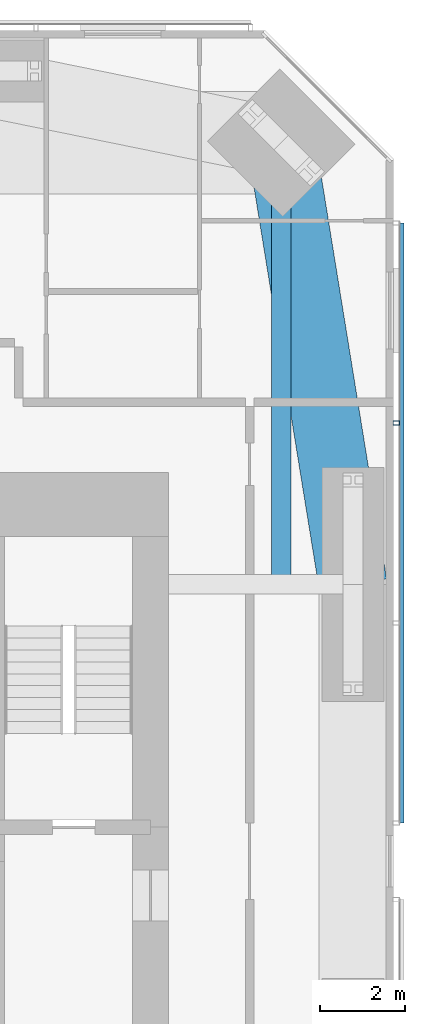
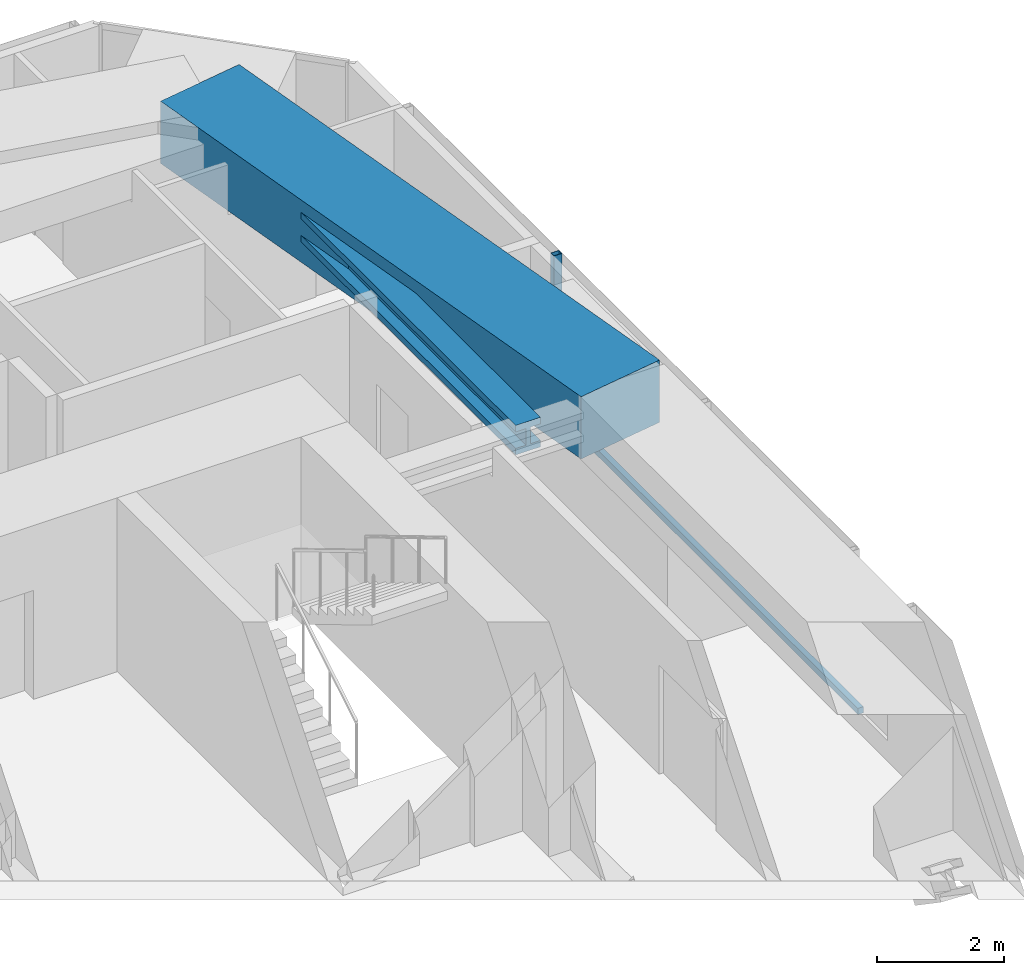
# One storey, part 11 of 24: 2 beams, 2 members, 1 element without a shape of its own.
"""IFC4 building model written with IfcOpenShell, lengths in metres."""

from ifc_helpers import new_model, si_unit, direction, frame, origin, origin_2d, place, context, subcontext, project, spatial, rectangle, hollow_rectangle, i_section, extrude, material, material_profile, profile_set, type_object, element, aggregate, save


model = new_model("IFC4")

# Units and contexts
model_context = context("Model", 3, precision=1e-05, world=origin(), true_north=direction((0.0, 1.0)))
body_context = subcontext(model_context, "Body", "Model", "MODEL_VIEW")
ifc_project = project(units=[si_unit("LENGTHUNIT", "METRE"), si_unit("AREAUNIT", "SQUARE_METRE"), si_unit("VOLUMEUNIT", "CUBIC_METRE"), si_unit("PLANEANGLEUNIT", "RADIAN"), si_unit("MASSUNIT", "GRAM", prefix="KILO")], contexts=[model_context])

# Site, building, storey
site_placement = place(None, origin())
site = spatial("IfcSite", under=ifc_project, at=site_placement, CompositionType="ELEMENT")
building_placement = place(site_placement, origin())
building = spatial("IfcBuilding", under=site, at=building_placement, Name="Jalousie Tower", CompositionType="ELEMENT")
storey_placement = place(building_placement, frame((0.0, 0.0, 128.300048828125)))
storey = spatial("IfcBuildingStorey", under=building, at=storey_placement, Name="L35", CompositionType="ELEMENT", Elevation=128.300048828125)

# Beams
ifc_material_1 = material(Name="Steel ASTM A992 Grade 50", Category="steel")
ifc_material_profile_1 = material_profile(ifc_material_1, i_section(OverallWidth=0.45458984375, OverallDepth=0.569091796875, WebThickness=0.077880859375, FlangeThickness=0.124755859375, at=origin_2d()), Name="W14X730")
ifc_profile_set_1 = profile_set([ifc_material_profile_1], Name="Steel ASTM A992 Grade 50")
beam_type_1 = type_object("IfcBeamType", Name="LEAN COLLECTOR W14X730", PredefinedType="BEAM", material=ifc_profile_set_1)
beam_1_placement = place(storey_placement, frame((46.86865234375, 35.36865234375, 2.825439453125), z_axis=(0.0, -1.0, 0.0), x_axis=(1.0, 0.0, 0.0)))
element("IfcBeam", 1, at=beam_1_placement, inside=storey, type_object=beam_type_1, Name="Lean collector under L36", PredefinedType="BEAM", context=body_context, shape_type="SweptSolid", body=[
    extrude(i_section(OverallWidth=0.45458984375, OverallDepth=0.569091796875, WebThickness=0.077880859375, FlangeThickness=0.124755859375, at=origin_2d()), origin(), (0.0, 0.0, 1.0), 10.36865234375),
])
ifc_material_2 = material(Name="Concrete f'c 40 MPa", Category="concrete")
ifc_material_profile_2 = material_profile(ifc_material_2, rectangle(XDim=1.60009765625, YDim=1.199951171875, at=origin_2d()), Name="RC 1600x1200")
ifc_profile_set_2 = profile_set([ifc_material_profile_2], Name="Concrete f'c 40 MPa")
beam_type_2 = type_object("IfcBeamType", Name="RC BEAM 1600x1200", PredefinedType="BEAM", material=ifc_profile_set_2)
beam_2_placement = place(storey_placement, frame((48.550048828125, 25.0, 2.75), z_axis=(-0.160070546476, 0.987105577003, 0.0), x_axis=(-0.987105577003, -0.160070546476, 0.0)))
element("IfcBeam", 2, at=beam_2_placement, inside=storey, type_object=beam_type_2, Name="Edge band beam 07-08 under L36", PredefinedType="BEAM", context=body_context, shape_type="SweptSolid", body=[
    extrude(rectangle(XDim=1.60009765625, YDim=1.199951171875, at=origin_2d()), origin(), (0.0, 0.0, 1.0), 10.504150390625),
])

# Curtain wall, members
ifc_material_3 = material(Name="Perforated aluminium sheet", Category="aluminium")
curtain_wall_type = type_object("IfcCurtainWallType", Name="SOLAR SCREEN SS-1", PredefinedType="USERDEFINED", material=ifc_material_3)
curtain_wall_placement = place(storey_placement, origin())
curtain_wall = element("IfcCurtainWall", 3, at=curtain_wall_placement, inside=storey, type_object=curtain_wall_type, Name="Solar screen L35", ObjectType="SOLAR SCREEN SS-1", PredefinedType="USERDEFINED")
ifc_material_4 = material(Name="Steel ASTM A500 Grade C", Category="steel")
ifc_material_profile_3 = material_profile(ifc_material_4, hollow_rectangle(XDim=0.1015625, YDim=0.15234375, WallThickness=0.00634765625, at=origin_2d()), Name="HSS6X4X1/4")
ifc_profile_set_3 = profile_set([ifc_material_profile_3], Name="Steel ASTM A500 Grade C")
member_type_1 = type_object("IfcMemberType", Name="SOLAR SCREEN SS-1 MULLION", PredefinedType="MULLION", material=ifc_profile_set_3)
member_1_placement = place(storey_placement, frame((49.5712890625, 28.790771484375, -0.1201171875), z_axis=(0.0, 0.0, 1.0), x_axis=(0.0, 1.0, 0.0)))
member_1 = element("IfcMember", 4, at=member_1_placement, type_object=member_type_1, Name="SS1 post 3", PredefinedType="MULLION", context=body_context, shape_type="SweptSolid", body=[
    extrude(hollow_rectangle(XDim=0.1015625, YDim=0.15234375, WallThickness=0.00634765625, at=origin_2d()), origin(), (0.0, 0.0, 1.0), 3.22998046875),
])
ifc_material_5 = material(Name="Extruded aluminium screen rail", Category="aluminium")
ifc_material_profile_4 = material_profile(ifc_material_5, rectangle(XDim=0.1015625, YDim=0.1201171875, at=origin_2d()), Name="RAIL 102x120")
ifc_profile_set_4 = profile_set([ifc_material_profile_4], Name="Extruded aluminium screen rail")
member_type_2 = type_object("IfcMemberType", Name="SOLAR SCREEN SS-1 TRANSOM", PredefinedType="USERDEFINED", material=ifc_profile_set_4)
member_2_placement = place(storey_placement, frame((49.6982421875, 19.39990234375, -0.06005859375), z_axis=(0.0, 1.0, 0.0), x_axis=(-1.0, 0.0, 0.0)))
member_2 = element("IfcMember", 5, at=member_2_placement, type_object=member_type_2, Name="SS1 rail", ObjectType="TRANSOM", PredefinedType="USERDEFINED", context=body_context, shape_type="SweptSolid", body=[
    extrude(rectangle(XDim=0.1015625, YDim=0.1201171875, at=origin_2d()), origin(), (0.0, 0.0, 1.0), 14.086181640625),
])
aggregate(curtain_wall, [member_1, member_2])

save(model, "model.ifc")
